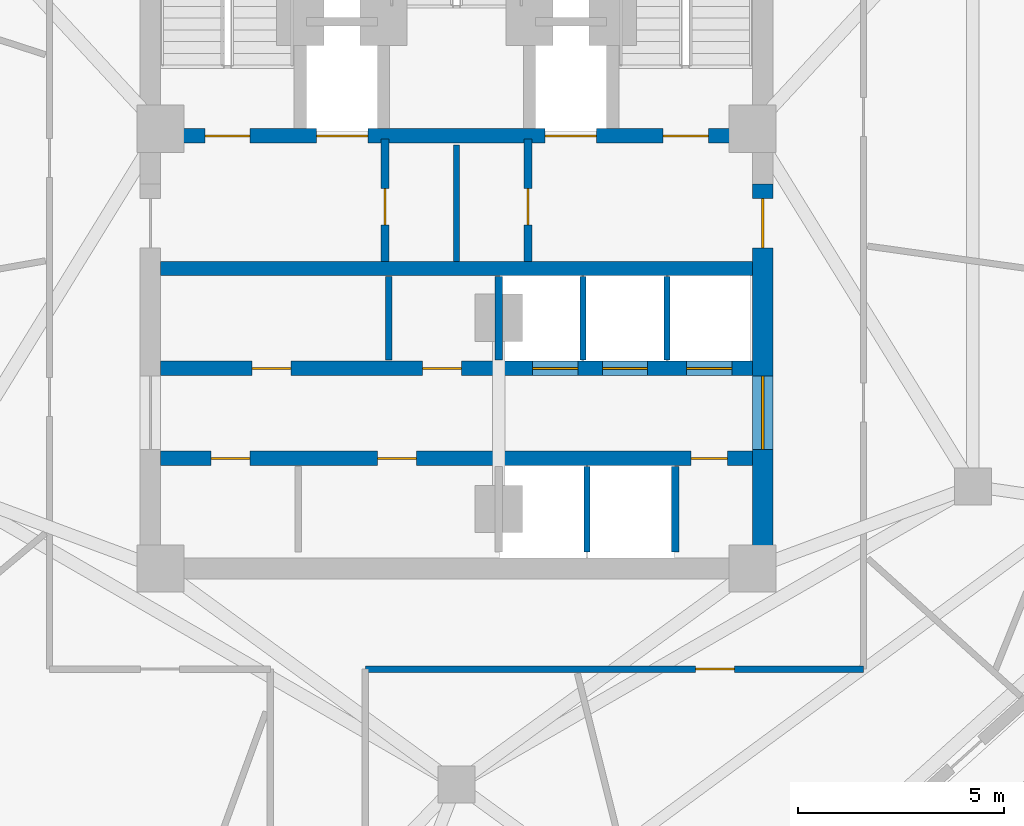
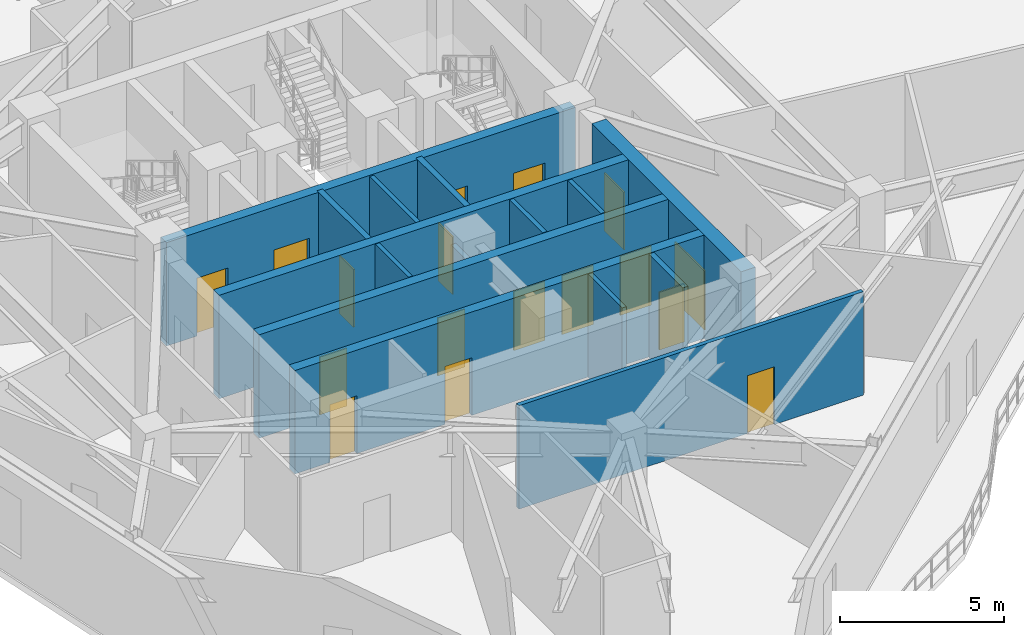
# One storey, part 6 of 11: 17 doors, 15 walls, 17 openings.
"""IFC4 building model written with IfcOpenShell, lengths in metres."""

from ifc_helpers import new_model, si_unit, direction, frame, frame_2d, origin, place, context, subcontext, project, spatial, rectangle, extrude, material, layer, layer_set, type_object, element, fill, save


model = new_model("IFC4")

# Units and contexts
model_context = context("Model", 3, precision=1e-05, world=origin(), true_north=direction((0.0, 1.0)))
body_context = subcontext(model_context, "Body", "Model", "MODEL_VIEW")
ifc_project = project(units=[si_unit("LENGTHUNIT", "METRE"), si_unit("AREAUNIT", "SQUARE_METRE"), si_unit("VOLUMEUNIT", "CUBIC_METRE"), si_unit("PLANEANGLEUNIT", "RADIAN"), si_unit("MASSUNIT", "GRAM", prefix="KILO")], contexts=[model_context])

# Site, building, storey
site_placement = place(None, origin())
site = spatial("IfcSite", under=ifc_project, at=site_placement, CompositionType="ELEMENT")
building_placement = place(site_placement, origin())
building = spatial("IfcBuilding", under=site, at=building_placement, Name="Apsidion Concourse Tower", CompositionType="ELEMENT")
storey_placement = place(building_placement, frame((0.0, 0.0, 236.300048828125)))
storey = spatial("IfcBuildingStorey", under=building, at=storey_placement, Name="L55", CompositionType="ELEMENT", Elevation=236.300048828125)

# Walls
ifc_material_1 = material(Name="Gypsum plasterboard partition")
ifc_layer_1 = layer(ifc_material_1, 0.14990234375)
ifc_layer_set_1 = layer_set([ifc_layer_1], Name="Gypsum plasterboard partition")
wall_type_1 = type_object("IfcWallType", Name="WL-INT-PAR-150", PredefinedType="PARTITIONING", material=ifc_layer_set_1)
for number, where, z_axis, x_axis, name in (
    (1, (-1.64990234375, -4.179931640625, 0.0), (0.0, 0.0, 1.0), (0.0, 1.0, 0.0), "L55 Interior Partition WL-L55-B1RV1"),
    (2, (3.074951171875, -4.179931640625, 0.0), (0.0, 0.0, 1.0), (0.0, 1.0, 0.0), "L55 Interior Partition WL-L55-B3DIV-1"),
    (3, (5.125, -4.179931640625, 0.0), (0.0, 0.0, 1.0), (0.0, 1.0, 0.0), "L55 Interior Partition WL-L55-B3DIV-2"),
):
    element("IfcWall", number, at=place(storey_placement, frame(where, z_axis=z_axis, x_axis=x_axis)), inside=storey, type_object=wall_type_1, Name=name, PredefinedType="PARTITIONING", context=body_context, shape_type="SweptSolid", body=[
        extrude(rectangle(XDim=2.030029296875, YDim=0.14990234375, at=frame_2d((1.01513671875, 0.0))), origin(), (0.0, 0.0, 1.0), 3.849853515625),
    ])
wall_1_placement = place(storey_placement, frame((3.175048828125, -8.85009765625, 0.0), z_axis=(0.0, 0.0, 1.0), x_axis=(0.0, 1.0, 0.0)))
element("IfcWall", 4, at=wall_1_placement, inside=storey, type_object=wall_type_1, Name="L55 Interior Partition WL-L55-SHDIV-1", PredefinedType="PARTITIONING", context=body_context, shape_type="SweptSolid", body=[
    extrude(rectangle(XDim=2.080078125, YDim=0.14990234375, at=frame_2d((1.0400390625, 0.0))), origin(), (0.0, 0.0, 1.0), 3.849853515625),
])
wall_2_placement = place(storey_placement, frame((0.0, -1.780029296875, 0.0), z_axis=(0.0, 0.0, 1.0), x_axis=(0.0, 1.0, 0.0)))
element("IfcWall", 5, at=wall_2_placement, inside=storey, type_object=wall_type_1, Name="L55 Interior Partition WL-L55-K3V", PredefinedType="PARTITIONING", context=body_context, shape_type="SweptSolid", body=[
    extrude(rectangle(XDim=2.830078125, YDim=0.14990234375, at=frame_2d((1.4150390625, 0.0))), origin(), (0.0, 0.0, 1.0), 3.849853515625),
])

# Wall, opening, door
wall_3_placement = place(storey_placement, frame((9.89990234375, -11.699951171875, 0.0), z_axis=(0.0, 0.0, 1.0), x_axis=(-1.0, 0.0, 0.0)))
wall_3 = element("IfcWall", 6, at=wall_3_placement, inside=storey, type_object=wall_type_1, Name="L55 Interior Partition WL-L55-CORR-09", PredefinedType="PARTITIONING", context=body_context, shape_type="SweptSolid", body=[
    extrude(rectangle(XDim=12.119873046875, YDim=0.14990234375, at=frame_2d((6.06005859375, 0.0))), origin(), (0.0, 0.0, 1.0), 3.849853515625),
])
opening_1_placement = place(wall_3_placement, frame((3.133056640625, 0.0, 0.0)))
opening_1 = element("IfcOpeningElement", 7, at=opening_1_placement, cuts=wall_3, Name="Opening D-01R", PredefinedType="OPENING", context=body_context, shape_type="SweptSolid", body=[
    extrude(rectangle(XDim=0.949951171875, YDim=2.14990234375, at=frame_2d((0.47509765625, 1.074951171875))), frame((0.0, 0.0849609375, 0.0), z_axis=(0.0, -1.0, 0.0), x_axis=(1.0, 0.0, 0.0)), (0.0, 0.0, 1.0), 0.169921875),
])
ifc_material_2 = material(Name="Brushed stainless steel 316", Category="steel")
door_type_1 = type_object("IfcDoorType", Name="DR-INT-D01R", OperationType="SINGLE_SWING_RIGHT", PredefinedType="DOOR", material=ifc_material_2)
door_1_placement = place(opening_1_placement, origin())
door_1 = element("IfcDoor", 8, at=door_1_placement, inside=storey, type_object=door_type_1, Name="L55 Corridor Entry Door 04", OperationType="SINGLE_SWING_RIGHT", OverallHeight=2.14990234375, OverallWidth=0.949951171875, PredefinedType="DOOR", context=body_context, shape_type="SweptSolid", body=[
    extrude(rectangle(XDim=0.949951171875, YDim=2.14990234375, at=frame_2d((0.47509765625, 1.074951171875))), frame((0.0, 0.02490234375, 0.0), z_axis=(0.0, -1.0, 0.0), x_axis=(1.0, 0.0, 0.0)), (0.0, 0.0, 1.0), 0.050048828125),
])
fill(opening_1, door_1)

# Walls
ifc_layer_2 = layer(ifc_material_1, 0.179931640625)
ifc_layer_set_2 = layer_set([ifc_layer_2], Name="Gypsum plasterboard partition")
wall_type_2 = type_object("IfcWallType", Name="WL-INT-PAR-180", PredefinedType="PARTITIONING", material=ifc_layer_set_2)
wall_4_placement = place(storey_placement, frame((1.02490234375, -4.179931640625, 0.0), z_axis=(0.0, 0.0, 1.0), x_axis=(0.0, 1.0, 0.0)))
element("IfcWall", 9, at=wall_4_placement, inside=storey, type_object=wall_type_2, Name="L55 Interior Partition WL-L55-B1END", PredefinedType="PARTITIONING", context=body_context, shape_type="SweptSolid", body=[
    extrude(rectangle(XDim=2.030029296875, YDim=0.179931640625, at=frame_2d((1.01513671875, 0.0))), origin(), (0.0, 0.0, 1.0), 2.89794921875),
])
wall_5_placement = place(storey_placement, frame((5.324951171875, -8.85009765625, 0.0), z_axis=(0.0, 0.0, 1.0), x_axis=(0.0, 1.0, 0.0)))
element("IfcWall", 10, at=wall_5_placement, inside=storey, type_object=wall_type_2, Name="L55 Interior Partition WL-L55-SHDIV-2", PredefinedType="PARTITIONING", context=body_context, shape_type="SweptSolid", body=[
    extrude(rectangle(XDim=2.080078125, YDim=0.179931640625, at=frame_2d((1.0400390625, 0.0))), origin(), (0.0, 0.0, 1.0), 3.849853515625),
])

# Wall, opening, door
ifc_layer_3 = layer(ifc_material_1, 0.199951171875)
ifc_layer_set_3 = layer_set([ifc_layer_3], Name="Gypsum plasterboard partition")
wall_type_3 = type_object("IfcWallType", Name="WL-INT-PAR-200", PredefinedType="PARTITIONING", material=ifc_layer_set_3)
wall_6_placement = place(storey_placement, frame((-1.739990234375, -1.780029296875, 0.0), z_axis=(0.0, 0.0, 1.0), x_axis=(0.0, 1.0, 0.0)))
wall_6 = element("IfcWall", 11, at=wall_6_placement, inside=storey, type_object=wall_type_3, Name="L55 Interior Partition WL-L55-FF1-E", PredefinedType="PARTITIONING", context=body_context, shape_type="SweptSolid", body=[
    extrude(rectangle(XDim=2.97998046875, YDim=0.199951171875, at=frame_2d((1.489990234375, 0.0))), origin(), (0.0, 0.0, 1.0), 3.849853515625),
])
opening_2_placement = place(wall_6_placement, frame((0.889892578125, 0.0, 0.0)))
opening_2 = element("IfcOpeningElement", 12, at=opening_2_placement, cuts=wall_6, Name="Opening D-05R", PredefinedType="OPENING", context=body_context, shape_type="SweptSolid", body=[
    extrude(rectangle(XDim=0.8798828125, YDim=2.14990234375, at=frame_2d((0.43994140625, 1.074951171875))), frame((0.0, 0.10986328125, 0.0), z_axis=(0.0, -1.0, 0.0), x_axis=(1.0, 0.0, 0.0)), (0.0, 0.0, 1.0), 0.219970703125),
])
door_type_2 = type_object("IfcDoorType", Name="DR-INT-D05R", OperationType="SINGLE_SWING_RIGHT", PredefinedType="DOOR", material=ifc_material_2)
door_2_placement = place(opening_2_placement, origin())
door_2 = element("IfcDoor", 13, at=door_2_placement, inside=storey, type_object=door_type_2, Name="L55 Core Pantry Door", OperationType="SINGLE_SWING_RIGHT", OverallHeight=2.14990234375, OverallWidth=0.8798828125, PredefinedType="DOOR", context=body_context, shape_type="SweptSolid", body=[
    extrude(rectangle(XDim=0.8798828125, YDim=2.14990234375, at=frame_2d((0.43994140625, 1.074951171875))), frame((0.0, 0.02490234375, 0.0), z_axis=(0.0, -1.0, 0.0), x_axis=(1.0, 0.0, 0.0)), (0.0, 0.0, 1.0), 0.050048828125),
])
fill(opening_2, door_2)

wall_7_placement = place(storey_placement, frame((1.739990234375, -1.780029296875, 0.0), z_axis=(0.0, 0.0, 1.0), x_axis=(0.0, 1.0, 0.0)))
wall_7 = element("IfcWall", 14, at=wall_7_placement, inside=storey, type_object=wall_type_3, Name="L55 Interior Partition WL-L55-FF2-W", PredefinedType="PARTITIONING", context=body_context, shape_type="SweptSolid", body=[
    extrude(rectangle(XDim=2.97998046875, YDim=0.199951171875, at=frame_2d((1.489990234375, 0.0))), origin(), (0.0, 0.0, 1.0), 3.849853515625),
])
opening_3_placement = place(wall_7_placement, frame((0.889892578125, 0.0, 0.0)))
opening_3 = element("IfcOpeningElement", 15, at=opening_3_placement, cuts=wall_7, Name="Opening D-05L", PredefinedType="OPENING", context=body_context, shape_type="SweptSolid", body=[
    extrude(rectangle(XDim=0.8798828125, YDim=2.14990234375, at=frame_2d((0.43994140625, 1.074951171875))), frame((0.0, 0.10986328125, 0.0), z_axis=(0.0, -1.0, 0.0), x_axis=(1.0, 0.0, 0.0)), (0.0, 0.0, 1.0), 0.219970703125),
])
door_type_3 = type_object("IfcDoorType", Name="DR-INT-D05L", OperationType="SINGLE_SWING_LEFT", PredefinedType="DOOR", material=ifc_material_2)
door_3_placement = place(opening_3_placement, origin())
door_3 = element("IfcDoor", 16, at=door_3_placement, inside=storey, type_object=door_type_3, Name="L55 Core Electrical Door", OperationType="SINGLE_SWING_LEFT", OverallHeight=2.14990234375, OverallWidth=0.8798828125, PredefinedType="DOOR", context=body_context, shape_type="SweptSolid", body=[
    extrude(rectangle(XDim=0.8798828125, YDim=2.14990234375, at=frame_2d((0.43994140625, 1.074951171875))), frame((0.0, 0.02490234375, 0.0), z_axis=(0.0, -1.0, 0.0), x_axis=(1.0, 0.0, 0.0)), (0.0, 0.0, 1.0), 0.050048828125),
])
fill(opening_3, door_3)

# Wall, openings, doors
ifc_material_3 = material(Name="Concrete C50/60", Category="concrete")
ifc_layer_4 = layer(ifc_material_3, 0.35009765625)
ifc_layer_set_4 = layer_set([ifc_layer_4], Name="Concrete C50/60")
wall_type_4 = type_object("IfcWallType", Name="WL-SH-350", PredefinedType="SHEAR", material=ifc_layer_set_4)
wall_8_placement = place(storey_placement, frame((-7.199951171875, 1.27490234375, 0.0), z_axis=(0.0, 0.0, 1.0), x_axis=(1.0, 0.0, 0.0)))
wall_8 = element("IfcWall", 17, at=wall_8_placement, inside=storey, type_object=wall_type_4, Name="L55 Central Core Shear Wall M1", PredefinedType="SHEAR", context=body_context, shape_type="SweptSolid", body=[
    extrude(rectangle(XDim=14.39990234375, YDim=0.35009765625, at=frame_2d((7.199951171875, 0.0))), origin(), (0.0, 0.0, 1.0), 3.849853515625),
])
opening_4_placement = place(wall_8_placement, frame((3.794921875, 0.0, 0.0)))
opening_4 = element("IfcOpeningElement", 18, at=opening_4_placement, cuts=wall_8, Name="Opening LD-FF", PredefinedType="OPENING", context=body_context, shape_type="SweptSolid", body=[
    extrude(rectangle(XDim=1.25, YDim=2.25, at=frame_2d((0.625, 1.125))), frame((0.0, 0.18505859375, 0.0), z_axis=(0.0, -1.0, 0.0), x_axis=(1.0, 0.0, 0.0)), (0.0, 0.0, 1.0), 0.3701171875),
])
opening_5_placement = place(wall_8_placement, frame((9.35498046875, 0.0, 0.0)))
opening_5 = element("IfcOpeningElement", 19, at=opening_5_placement, cuts=wall_8, Name="Opening LD-FF", PredefinedType="OPENING", context=body_context, shape_type="SweptSolid", body=[
    extrude(rectangle(XDim=1.25, YDim=2.25, at=frame_2d((0.625, 1.125))), frame((0.0, 0.18505859375, 0.0), z_axis=(0.0, -1.0, 0.0), x_axis=(1.0, 0.0, 0.0)), (0.0, 0.0, 1.0), 0.3701171875),
])
opening_6_placement = place(wall_8_placement, frame((1.074951171875, 0.0, 0.0)))
opening_6 = element("IfcOpeningElement", 20, at=opening_6_placement, cuts=wall_8, Name="Opening D-STL", PredefinedType="OPENING", context=body_context, shape_type="SweptSolid", body=[
    extrude(rectangle(XDim=1.10009765625, YDim=2.14990234375, at=frame_2d((0.550048828125, 1.074951171875))), frame((0.0, 0.18505859375, 0.0), z_axis=(0.0, -1.0, 0.0), x_axis=(1.0, 0.0, 0.0)), (0.0, 0.0, 1.0), 0.3701171875),
])
opening_7_placement = place(wall_8_placement, frame((12.22509765625, 0.0, 0.0)))
opening_7 = element("IfcOpeningElement", 21, at=opening_7_placement, cuts=wall_8, Name="Opening D-STR", PredefinedType="OPENING", context=body_context, shape_type="SweptSolid", body=[
    extrude(rectangle(XDim=1.10009765625, YDim=2.14990234375, at=frame_2d((0.550048828125, 1.074951171875))), frame((0.0, 0.18505859375, 0.0), z_axis=(0.0, -1.0, 0.0), x_axis=(1.0, 0.0, 0.0)), (0.0, 0.0, 1.0), 0.3701171875),
])
door_type_4 = type_object("IfcDoorType", Name="DR-INT-ST1L", OperationType="SINGLE_SWING_LEFT", PredefinedType="DOOR", material=ifc_material_2)
door_4_placement = place(opening_6_placement, origin())
door_4 = element("IfcDoor", 22, at=door_4_placement, inside=storey, type_object=door_type_4, Name="L55 Core Exit Stair ST1 Door", OperationType="SINGLE_SWING_LEFT", OverallHeight=2.14990234375, OverallWidth=1.10009765625, PredefinedType="DOOR", context=body_context, shape_type="SweptSolid", body=[
    extrude(rectangle(XDim=1.10009765625, YDim=2.14990234375, at=frame_2d((0.550048828125, 1.074951171875))), frame((0.0, 0.02490234375, 0.0), z_axis=(0.0, -1.0, 0.0), x_axis=(1.0, 0.0, 0.0)), (0.0, 0.0, 1.0), 0.050048828125),
])
fill(opening_6, door_4)
door_type_5 = type_object("IfcDoorType", Name="DR-INT-ST1R", OperationType="SINGLE_SWING_RIGHT", PredefinedType="DOOR", material=ifc_material_2)
door_5_placement = place(opening_7_placement, origin())
door_5 = element("IfcDoor", 23, at=door_5_placement, inside=storey, type_object=door_type_5, Name="L55 Core Exit Stair ST2 Door", OperationType="SINGLE_SWING_RIGHT", OverallHeight=2.14990234375, OverallWidth=1.10009765625, PredefinedType="DOOR", context=body_context, shape_type="SweptSolid", body=[
    extrude(rectangle(XDim=1.10009765625, YDim=2.14990234375, at=frame_2d((0.550048828125, 1.074951171875))), frame((0.0, 0.02490234375, 0.0), z_axis=(0.0, -1.0, 0.0), x_axis=(1.0, 0.0, 0.0)), (0.0, 0.0, 1.0), 0.050048828125),
])
fill(opening_7, door_5)
door_type_6 = type_object("IfcDoorType", Name="DR-LD-FSAE", OperationType="DOUBLE_DOOR_SLIDING", PredefinedType="DOOR", material=ifc_material_2)
door_6_placement = place(opening_4_placement, origin())
door_6 = element("IfcDoor", 24, at=door_6_placement, inside=storey, type_object=door_type_6, Name="L55 Lift Landing Door FF1", OperationType="DOUBLE_DOOR_SLIDING", OverallHeight=2.25, OverallWidth=1.25, PredefinedType="DOOR", context=body_context, shape_type="SweptSolid", body=[
    extrude(rectangle(XDim=1.25, YDim=2.25, at=frame_2d((0.625, 1.125))), frame((0.0, 0.02490234375, 0.0), z_axis=(0.0, -1.0, 0.0), x_axis=(1.0, 0.0, 0.0)), (0.0, 0.0, 1.0), 0.050048828125),
])
fill(opening_4, door_6)
door_7_placement = place(opening_5_placement, origin())
door_7 = element("IfcDoor", 25, at=door_7_placement, inside=storey, type_object=door_type_6, Name="L55 Lift Landing Door FF2", OperationType="DOUBLE_DOOR_SLIDING", OverallHeight=2.25, OverallWidth=1.25, PredefinedType="DOOR", context=body_context, shape_type="SweptSolid", body=[
    extrude(rectangle(XDim=1.25, YDim=2.25, at=frame_2d((0.625, 1.125))), frame((0.0, 0.02490234375, 0.0), z_axis=(0.0, -1.0, 0.0), x_axis=(1.0, 0.0, 0.0)), (0.0, 0.0, 1.0), 0.050048828125),
])
fill(opening_5, door_7)

# Wall
wall_9_placement = place(storey_placement, frame((-7.199951171875, -1.949951171875, 0.0), z_axis=(0.0, 0.0, 1.0), x_axis=(1.0, 0.0, 0.0)))
element("IfcWall", 26, at=wall_9_placement, inside=storey, type_object=wall_type_4, Name="L55 Central Core Shear Wall M2", PredefinedType="SHEAR", context=body_context, shape_type="SweptSolid", body=[
    extrude(rectangle(XDim=14.39990234375, YDim=0.35009765625, at=frame_2d((7.199951171875, 0.0))), origin(), (0.0, 0.0, 1.0), 3.849853515625),
])

# Wall, openings, doors
wall_10_placement = place(storey_placement, frame((-7.199951171875, -4.3798828125, 0.0), z_axis=(0.0, 0.0, 1.0), x_axis=(1.0, 0.0, 0.0)))
wall_10 = element("IfcWall", 27, at=wall_10_placement, inside=storey, type_object=wall_type_4, Name="L55 Central Core Shear Wall LA", PredefinedType="SHEAR", context=body_context, shape_type="SweptSolid", body=[
    extrude(rectangle(XDim=14.39990234375, YDim=0.35009765625, at=frame_2d((7.199951171875, 0.0))), origin(), (0.0, 0.0, 1.0), 3.849853515625),
])
opening_8_placement = place(wall_10_placement, frame((9.050048828125, 0.0, 0.0)))
opening_8 = element("IfcOpeningElement", 28, at=opening_8_placement, cuts=wall_10, Name="Opening LD-P1", PredefinedType="OPENING", context=body_context, shape_type="SweptSolid", body=[
    extrude(rectangle(XDim=1.10009765625, YDim=2.199951171875, at=frame_2d((0.550048828125, 1.10009765625))), frame((0.0, 0.18505859375, 0.0), z_axis=(0.0, -1.0, 0.0), x_axis=(1.0, 0.0, 0.0)), (0.0, 0.0, 1.0), 0.3701171875),
])
opening_9_placement = place(wall_10_placement, frame((10.75, 0.0, 0.0)))
opening_9 = element("IfcOpeningElement", 29, at=opening_9_placement, cuts=wall_10, Name="Opening LD-P1", PredefinedType="OPENING", context=body_context, shape_type="SweptSolid", body=[
    extrude(rectangle(XDim=1.10009765625, YDim=2.199951171875, at=frame_2d((0.550048828125, 1.10009765625))), frame((0.0, 0.18505859375, 0.0), z_axis=(0.0, -1.0, 0.0), x_axis=(1.0, 0.0, 0.0)), (0.0, 0.0, 1.0), 0.3701171875),
])
opening_10_placement = place(wall_10_placement, frame((12.800048828125, 0.0, 0.0)))
opening_10 = element("IfcOpeningElement", 30, at=opening_10_placement, cuts=wall_10, Name="Opening LD-P1", PredefinedType="OPENING", context=body_context, shape_type="SweptSolid", body=[
    extrude(rectangle(XDim=1.10009765625, YDim=2.199951171875, at=frame_2d((0.550048828125, 1.10009765625))), frame((0.0, 0.18505859375, 0.0), z_axis=(0.0, -1.0, 0.0), x_axis=(1.0, 0.0, 0.0)), (0.0, 0.0, 1.0), 0.3701171875),
])
opening_11_placement = place(wall_10_placement, frame((2.22509765625, 0.0, 0.0)))
opening_11 = element("IfcOpeningElement", 31, at=opening_11_placement, cuts=wall_10, Name="Opening D-04L", PredefinedType="OPENING", context=body_context, shape_type="SweptSolid", body=[
    extrude(rectangle(XDim=0.949951171875, YDim=2.14990234375, at=frame_2d((0.47509765625, 1.074951171875))), frame((0.0, 0.18505859375, 0.0), z_axis=(0.0, -1.0, 0.0), x_axis=(1.0, 0.0, 0.0)), (0.0, 0.0, 1.0), 0.3701171875),
])
opening_12_placement = place(wall_10_placement, frame((6.375, 0.0, 0.0)))
opening_12 = element("IfcOpeningElement", 32, at=opening_12_placement, cuts=wall_10, Name="Opening D-04R", PredefinedType="OPENING", context=body_context, shape_type="SweptSolid", body=[
    extrude(rectangle(XDim=0.949951171875, YDim=2.14990234375, at=frame_2d((0.47509765625, 1.074951171875))), frame((0.0, 0.18505859375, 0.0), z_axis=(0.0, -1.0, 0.0), x_axis=(1.0, 0.0, 0.0)), (0.0, 0.0, 1.0), 0.3701171875),
])
door_type_7 = type_object("IfcDoorType", Name="DR-INT-D04L", OperationType="SINGLE_SWING_LEFT", PredefinedType="DOOR", material=ifc_material_2)
door_8_placement = place(opening_11_placement, origin())
door_8 = element("IfcDoor", 33, at=door_8_placement, inside=storey, type_object=door_type_7, Name="L55 Tenant Records Archive Room Door", OperationType="SINGLE_SWING_LEFT", OverallHeight=2.14990234375, OverallWidth=0.949951171875, PredefinedType="DOOR", context=body_context, shape_type="SweptSolid", body=[
    extrude(rectangle(XDim=0.949951171875, YDim=2.14990234375, at=frame_2d((0.47509765625, 1.074951171875))), frame((0.0, 0.02490234375, 0.0), z_axis=(0.0, -1.0, 0.0), x_axis=(1.0, 0.0, 0.0)), (0.0, 0.0, 1.0), 0.050048828125),
])
fill(opening_11, door_8)
door_type_8 = type_object("IfcDoorType", Name="DR-INT-D04R", OperationType="SINGLE_SWING_RIGHT", PredefinedType="DOOR", material=ifc_material_2)
door_9_placement = place(opening_12_placement, origin())
door_9 = element("IfcDoor", 34, at=door_9_placement, inside=storey, type_object=door_type_8, Name="L55 Core Beverage Pantry Door", OperationType="SINGLE_SWING_RIGHT", OverallHeight=2.14990234375, OverallWidth=0.949951171875, PredefinedType="DOOR", context=body_context, shape_type="SweptSolid", body=[
    extrude(rectangle(XDim=0.949951171875, YDim=2.14990234375, at=frame_2d((0.47509765625, 1.074951171875))), frame((0.0, 0.02490234375, 0.0), z_axis=(0.0, -1.0, 0.0), x_axis=(1.0, 0.0, 0.0)), (0.0, 0.0, 1.0), 0.050048828125),
])
fill(opening_12, door_9)
door_type_9 = type_object("IfcDoorType", Name="DR-LD-PASS", OperationType="DOUBLE_DOOR_SLIDING", PredefinedType="DOOR", material=ifc_material_2)
door_10_placement = place(opening_8_placement, origin())
door_10 = element("IfcDoor", 35, at=door_10_placement, inside=storey, type_object=door_type_9, Name="L55 Lift Landing Door P9", OperationType="DOUBLE_DOOR_SLIDING", OverallHeight=2.199951171875, OverallWidth=1.10009765625, PredefinedType="DOOR", context=body_context, shape_type="SweptSolid", body=[
    extrude(rectangle(XDim=1.10009765625, YDim=2.199951171875, at=frame_2d((0.550048828125, 1.10009765625))), frame((0.0, 0.02490234375, 0.0), z_axis=(0.0, -1.0, 0.0), x_axis=(1.0, 0.0, 0.0)), (0.0, 0.0, 1.0), 0.050048828125),
])
fill(opening_8, door_10)
door_11_placement = place(opening_9_placement, origin())
door_11 = element("IfcDoor", 36, at=door_11_placement, inside=storey, type_object=door_type_9, Name="L55 Lift Landing Door P10", OperationType="DOUBLE_DOOR_SLIDING", OverallHeight=2.199951171875, OverallWidth=1.10009765625, PredefinedType="DOOR", context=body_context, shape_type="SweptSolid", body=[
    extrude(rectangle(XDim=1.10009765625, YDim=2.199951171875, at=frame_2d((0.550048828125, 1.10009765625))), frame((0.0, 0.02490234375, 0.0), z_axis=(0.0, -1.0, 0.0), x_axis=(1.0, 0.0, 0.0)), (0.0, 0.0, 1.0), 0.050048828125),
])
fill(opening_9, door_11)
door_12_placement = place(opening_10_placement, origin())
door_12 = element("IfcDoor", 37, at=door_12_placement, inside=storey, type_object=door_type_9, Name="L55 Lift Landing Door P11", OperationType="DOUBLE_DOOR_SLIDING", OverallHeight=2.199951171875, OverallWidth=1.10009765625, PredefinedType="DOOR", context=body_context, shape_type="SweptSolid", body=[
    extrude(rectangle(XDim=1.10009765625, YDim=2.199951171875, at=frame_2d((0.550048828125, 1.10009765625))), frame((0.0, 0.02490234375, 0.0), z_axis=(0.0, -1.0, 0.0), x_axis=(1.0, 0.0, 0.0)), (0.0, 0.0, 1.0), 0.050048828125),
])
fill(opening_10, door_12)

wall_11_placement = place(storey_placement, frame((-7.199951171875, -6.570068359375, 0.0), z_axis=(0.0, 0.0, 1.0), x_axis=(1.0, 0.0, 0.0)))
wall_11 = element("IfcWall", 38, at=wall_11_placement, inside=storey, type_object=wall_type_4, Name="L55 Central Core Shear Wall LB", PredefinedType="SHEAR", context=body_context, shape_type="SweptSolid", body=[
    extrude(rectangle(XDim=14.39990234375, YDim=0.35009765625, at=frame_2d((7.199951171875, 0.0))), origin(), (0.0, 0.0, 1.0), 3.849853515625),
])
opening_13_placement = place(wall_11_placement, frame((1.22509765625, 0.0, 0.0)))
opening_13 = element("IfcOpeningElement", 39, at=opening_13_placement, cuts=wall_11, Name="Opening D-04R", PredefinedType="OPENING", context=body_context, shape_type="SweptSolid", body=[
    extrude(rectangle(XDim=0.949951171875, YDim=2.14990234375, at=frame_2d((0.47509765625, 1.074951171875))), frame((0.0, 0.18505859375, 0.0), z_axis=(0.0, -1.0, 0.0), x_axis=(1.0, 0.0, 0.0)), (0.0, 0.0, 1.0), 0.3701171875),
])
opening_14_placement = place(wall_11_placement, frame((5.27490234375, 0.0, 0.0)))
opening_14 = element("IfcOpeningElement", 40, at=opening_14_placement, cuts=wall_11, Name="Opening D-04L", PredefinedType="OPENING", context=body_context, shape_type="SweptSolid", body=[
    extrude(rectangle(XDim=0.949951171875, YDim=2.14990234375, at=frame_2d((0.47509765625, 1.074951171875))), frame((0.0, 0.18505859375, 0.0), z_axis=(0.0, -1.0, 0.0), x_axis=(1.0, 0.0, 0.0)), (0.0, 0.0, 1.0), 0.3701171875),
])
opening_15_placement = place(wall_11_placement, frame((12.909912109375, 0.0, 0.0)))
opening_15 = element("IfcOpeningElement", 41, at=opening_15_placement, cuts=wall_11, Name="Opening D-05L", PredefinedType="OPENING", context=body_context, shape_type="SweptSolid", body=[
    extrude(rectangle(XDim=0.8798828125, YDim=2.14990234375, at=frame_2d((0.43994140625, 1.074951171875))), frame((0.0, 0.18505859375, 0.0), z_axis=(0.0, -1.0, 0.0), x_axis=(1.0, 0.0, 0.0)), (0.0, 0.0, 1.0), 0.3701171875),
])
door_13_placement = place(opening_14_placement, origin())
door_13 = element("IfcDoor", 42, at=door_13_placement, inside=storey, type_object=door_type_7, Name="L55 Executive Servery Pantry Door", OperationType="SINGLE_SWING_LEFT", OverallHeight=2.14990234375, OverallWidth=0.949951171875, PredefinedType="DOOR", context=body_context, shape_type="SweptSolid", body=[
    extrude(rectangle(XDim=0.949951171875, YDim=2.14990234375, at=frame_2d((0.47509765625, 1.074951171875))), frame((0.0, 0.02490234375, 0.0), z_axis=(0.0, -1.0, 0.0), x_axis=(1.0, 0.0, 0.0)), (0.0, 0.0, 1.0), 0.050048828125),
])
fill(opening_14, door_13)
door_14_placement = place(opening_13_placement, origin())
door_14 = element("IfcDoor", 43, at=door_14_placement, inside=storey, type_object=door_type_8, Name="L55 Executive Records Store Door", OperationType="SINGLE_SWING_RIGHT", OverallHeight=2.14990234375, OverallWidth=0.949951171875, PredefinedType="DOOR", context=body_context, shape_type="SweptSolid", body=[
    extrude(rectangle(XDim=0.949951171875, YDim=2.14990234375, at=frame_2d((0.47509765625, 1.074951171875))), frame((0.0, 0.02490234375, 0.0), z_axis=(0.0, -1.0, 0.0), x_axis=(1.0, 0.0, 0.0)), (0.0, 0.0, 1.0), 0.050048828125),
])
fill(opening_13, door_14)
door_15_placement = place(opening_15_placement, origin())
door_15 = element("IfcDoor", 44, at=door_15_placement, inside=storey, type_object=door_type_3, Name="L55 Cleaners Store Door", OperationType="SINGLE_SWING_LEFT", OverallHeight=2.14990234375, OverallWidth=0.8798828125, PredefinedType="DOOR", context=body_context, shape_type="SweptSolid", body=[
    extrude(rectangle(XDim=0.8798828125, YDim=2.14990234375, at=frame_2d((0.43994140625, 1.074951171875))), frame((0.0, 0.02490234375, 0.0), z_axis=(0.0, -1.0, 0.0), x_axis=(1.0, 0.0, 0.0)), (0.0, 0.0, 1.0), 0.050048828125),
])
fill(opening_15, door_15)

ifc_layer_5 = layer(ifc_material_3, 0.5)
ifc_layer_set_5 = layer_set([ifc_layer_5], Name="Concrete C50/60")
wall_type_5 = type_object("IfcWallType", Name="WL-SH-500", PredefinedType="SHEAR", material=ifc_layer_set_5)
wall_12_placement = place(storey_placement, frame((7.449951171875, -9.0, 0.0), z_axis=(0.0, 0.0, 1.0), x_axis=(0.0, 1.0, 0.0)))
wall_12 = element("IfcWall", 45, at=wall_12_placement, inside=storey, type_object=wall_type_5, Name="L55 Central Core Shear Wall ES", PredefinedType="SHEAR", context=body_context, shape_type="SweptSolid", body=[
    extrude(rectangle(XDim=9.10009765625, YDim=0.5, at=frame_2d((4.550048828125, 0.0))), origin(), (0.0, 0.0, 1.0), 3.849853515625),
])
opening_16_placement = place(wall_12_placement, frame((2.639892578125, 0.0, 0.0)))
opening_16 = element("IfcOpeningElement", 46, at=opening_16_placement, cuts=wall_12, Name="Opening D-06D", PredefinedType="OPENING", context=body_context, shape_type="SweptSolid", body=[
    extrude(rectangle(XDim=1.800048828125, YDim=2.199951171875, at=frame_2d((0.89990234375, 1.10009765625))), frame((0.0, 0.260009765625, 0.0), z_axis=(0.0, -1.0, 0.0), x_axis=(1.0, 0.0, 0.0)), (0.0, 0.0, 1.0), 0.52001953125),
])
opening_17_placement = place(wall_12_placement, frame((7.550048828125, 0.0, 0.0)))
opening_17 = element("IfcOpeningElement", 47, at=opening_17_placement, cuts=wall_12, Name="Opening D-FFR", PredefinedType="OPENING", context=body_context, shape_type="SweptSolid", body=[
    extrude(rectangle(XDim=1.199951171875, YDim=2.14990234375, at=frame_2d((0.60009765625, 1.074951171875))), frame((0.0, 0.260009765625, 0.0), z_axis=(0.0, -1.0, 0.0), x_axis=(1.0, 0.0, 0.0)), (0.0, 0.0, 1.0), 0.52001953125),
])
door_type_10 = type_object("IfcDoorType", Name="DR-INT-D06D", OperationType="DOUBLE_DOOR_SINGLE_SWING", PredefinedType="DOOR", material=ifc_material_2)
door_16_placement = place(opening_16_placement, origin())
door_16 = element("IfcDoor", 48, at=door_16_placement, inside=storey, type_object=door_type_10, Name="L55 Passenger Lift Lobby ES Portal Door", OperationType="DOUBLE_DOOR_SINGLE_SWING", OverallHeight=2.199951171875, OverallWidth=1.800048828125, PredefinedType="DOOR", context=body_context, shape_type="SweptSolid", body=[
    extrude(rectangle(XDim=1.800048828125, YDim=2.199951171875, at=frame_2d((0.89990234375, 1.10009765625))), frame((0.0, 0.02490234375, 0.0), z_axis=(0.0, -1.0, 0.0), x_axis=(1.0, 0.0, 0.0)), (0.0, 0.0, 1.0), 0.050048828125),
])
fill(opening_16, door_16)
door_type_11 = type_object("IfcDoorType", Name="DR-INT-FFR", OperationType="SINGLE_SWING_RIGHT", PredefinedType="DOOR", material=ifc_material_2)
door_17_placement = place(opening_17_placement, origin())
door_17 = element("IfcDoor", 49, at=door_17_placement, inside=storey, type_object=door_type_11, Name="L55 Firefighting Lift Lobby FF2 Door", OperationType="SINGLE_SWING_RIGHT", OverallHeight=2.14990234375, OverallWidth=1.199951171875, PredefinedType="DOOR", context=body_context, shape_type="SweptSolid", body=[
    extrude(rectangle(XDim=1.199951171875, YDim=2.14990234375, at=frame_2d((0.60009765625, 1.074951171875))), frame((0.0, 0.02490234375, 0.0), z_axis=(0.0, -1.0, 0.0), x_axis=(1.0, 0.0, 0.0)), (0.0, 0.0, 1.0), 0.050048828125),
])
fill(opening_17, door_17)

save(model, "model.ifc")
